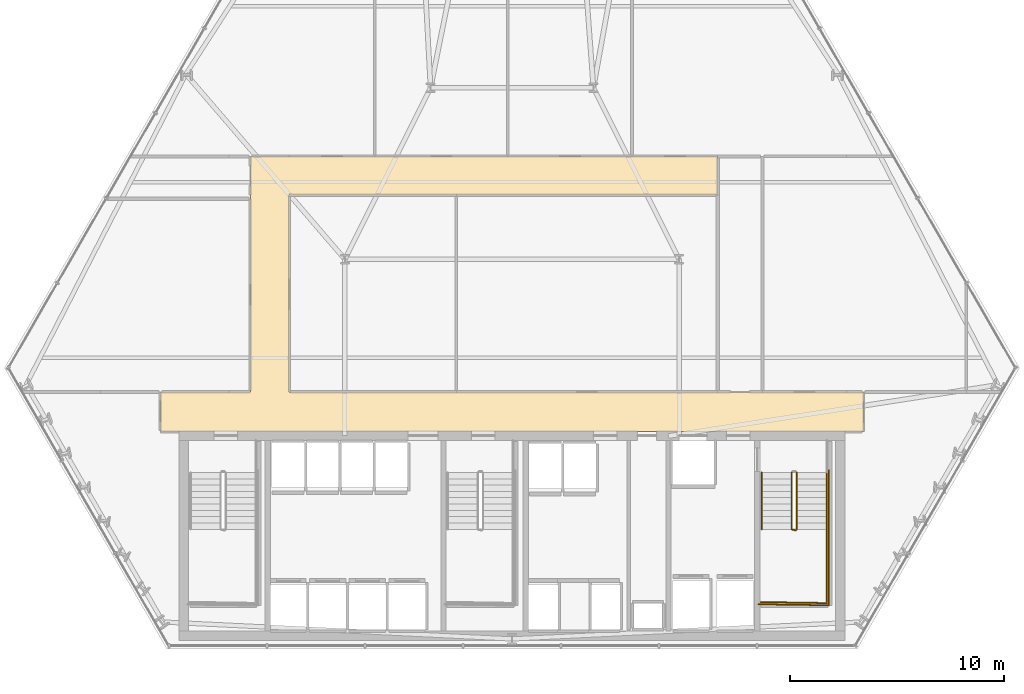
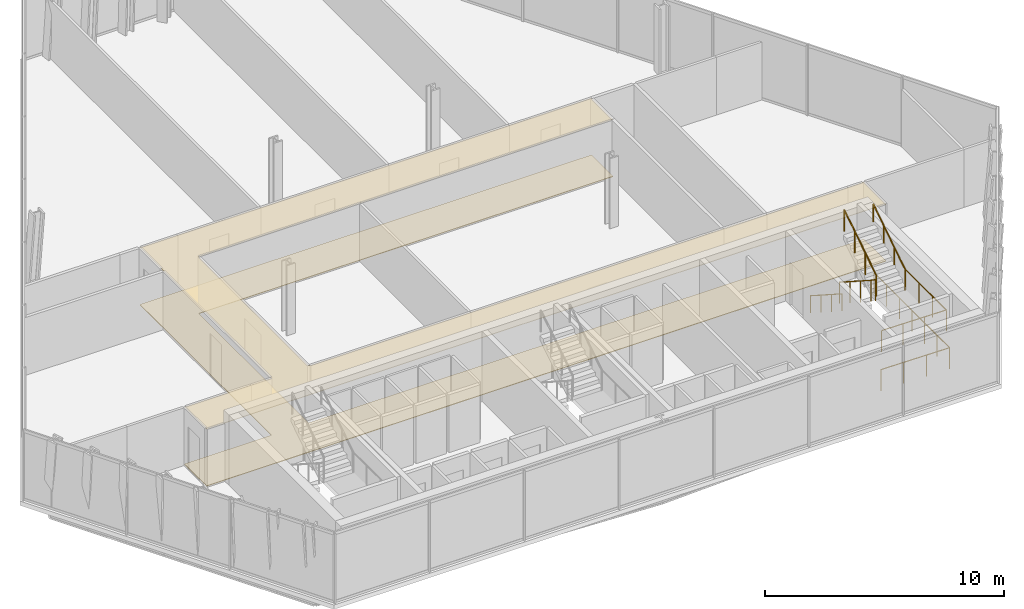
# One storey, part 31 of 32: 6 railings, 2 coverings.
"""IFC4 building model written with IfcOpenShell, lengths in metres."""

from ifc_helpers import new_model, si_unit, direction, frame, origin, origin_2d, place, context, subcontext, project, spatial, polyline, circle, outline, extrude, material, layer, layer_set, type_object, element, save


model = new_model("IFC4")

# Units and contexts
model_context = context("Model", 3, precision=1e-05, world=origin(), true_north=direction((0.0, 1.0)))
body_context = subcontext(model_context, "Body", "Model", "MODEL_VIEW")
ifc_project = project(units=[si_unit("LENGTHUNIT", "METRE"), si_unit("AREAUNIT", "SQUARE_METRE"), si_unit("VOLUMEUNIT", "CUBIC_METRE"), si_unit("PLANEANGLEUNIT", "RADIAN"), si_unit("MASSUNIT", "GRAM", prefix="KILO")], contexts=[model_context])

# Site, building, storey
site_placement = place(None, origin())
site = spatial("IfcSite", under=ifc_project, at=site_placement, CompositionType="ELEMENT")
building_placement = place(site_placement, origin())
building = spatial("IfcBuilding", under=site, at=building_placement, Name="Ndaravel Arena Tower", CompositionType="ELEMENT")
storey_placement = place(building_placement, frame((0.0, 0.0, 77.800048828125)))
storey = spatial("IfcBuildingStorey", under=building, at=storey_placement, Name="L17", CompositionType="ELEMENT", Elevation=77.800048828125)

# Coverings
ifc_material_1 = material(Name="Acoustic Ceiling Tile", Category="finish")
ifc_layer_1 = layer(ifc_material_1, 0.02490234375)
ifc_layer_set_1 = layer_set([ifc_layer_1], Name="Acoustic Ceiling Tile")
covering_type_1 = type_object("IfcCoveringType", Name="COV-CEIL-AC600", PredefinedType="CEILING", material=ifc_layer_set_1)
covering_1_placement = place(storey_placement, frame((0.0, 0.0, 2.919921875)))
element("IfcCovering", 1, at=covering_1_placement, inside=storey, type_object=covering_type_1, Name="L17 Corridor Acoustic Ceiling", PredefinedType="CEILING", context=body_context, shape_type="SweptSolid", body=[
    extrude(outline(polyline([(58.39990234375, 17.0), (31.60009765625, 17.0), (31.60009765625, 26.199951171875), (51.60009765625, 26.199951171875), (51.60009765625, 28.0), (31.60009765625, 28.0), (29.800048828125, 28.0), (29.800048828125, 26.199951171875), (29.800048828125, 17.0), (25.60009765625, 17.0), (25.60009765625, 15.14990234375), (58.39990234375, 15.14990234375), (58.39990234375, 17.0)])), origin(), (0.0, 0.0, 1.0), 0.025146484375),
])
ifc_material_2 = material(Name="Terrazzo", Category="stone")
ifc_layer_2 = layer(ifc_material_2, 0.030029296875)
ifc_layer_set_2 = layer_set([ifc_layer_2], Name="Terrazzo")
covering_type_2 = type_object("IfcCoveringType", Name="COV-FLOOR-TERRAZZO", PredefinedType="FLOORING", material=ifc_layer_set_2)
covering_2_placement = place(storey_placement, origin())
element("IfcCovering", 2, at=covering_2_placement, inside=storey, type_object=covering_type_2, Name="L17 Corridor Terrazzo Flooring", PredefinedType="FLOORING", context=body_context, shape_type="SweptSolid", body=[
    extrude(outline(polyline([(58.39990234375, 17.0), (31.60009765625, 17.0), (31.60009765625, 26.199951171875), (51.60009765625, 26.199951171875), (51.60009765625, 28.0), (31.60009765625, 28.0), (29.800048828125, 28.0), (29.800048828125, 26.199951171875), (29.800048828125, 17.0), (25.60009765625, 17.0), (25.60009765625, 15.14990234375), (58.39990234375, 15.14990234375), (58.39990234375, 17.0)])), origin(), (0.0, 0.0, 1.0), 0.030029296875),
])

# Railings
ifc_material_3 = material(Name="Steel S355", Category="steel")
ifc_layer_3 = layer(ifc_material_3, 0.06005859375)
ifc_layer_set_3 = layer_set([ifc_layer_3], Name="Steel S355")
railing_type_1 = type_object("IfcRailingType", Name="RAIL-STAIR-GD1100", PredefinedType="GUARDRAIL", material=ifc_layer_set_3)
railing_1_placement = place(storey_placement, frame((55.050048828125, 13.25, 0.18994140625)))
element("IfcRailing", 3, at=railing_1_placement, inside=storey, type_object=railing_type_1, Name="L17 ST-3 stair guard 1", PredefinedType="GUARDRAIL", context=body_context, shape_type="SweptSolid", body=[
    extrude(circle(Radius=0.02392578125, at=origin_2d()), frame((0.0, 0.0, 1.076171875), z_axis=(0.0, -0.840723540582, 0.54146461409), x_axis=(1.0, 0.0, 0.0)), (0.0, 0.0, 1.0), 3.157958984375),
    extrude(circle(Radius=0.02392578125, at=origin_2d()), frame((0.0, -2.655029296875, 2.7861328125), z_axis=(0.966993988697, -0.254799187253, 0.0), x_axis=(0.254799187253, 0.966993988697, 0.0)), (0.0, 0.0, 1.0), 0.196533203125),
    extrude(circle(Radius=0.02099609375, at=origin_2d()), origin(), (0.0, 0.0, 1.0), 1.052001953125),
    extrude(circle(Radius=0.02099609375, at=origin_2d()), frame((0.0, -0.885009765625, 0.570068359375)), (0.0, 0.0, 1.0), 1.052001953125),
    extrude(circle(Radius=0.02099609375, at=origin_2d()), frame((0.0, -1.77001953125, 1.139892578125)), (0.0, 0.0, 1.0), 1.052001953125),
    extrude(circle(Radius=0.02099609375, at=origin_2d()), frame((0.0, -2.655029296875, 1.7099609375)), (0.0, 0.0, 1.0), 1.052001953125),
    extrude(circle(Radius=0.02099609375, at=origin_2d()), frame((0.18994140625, -2.705078125, 1.7099609375)), (0.0, 0.0, 1.0), 1.052001953125),
])
railing_2_placement = place(storey_placement, frame((56.68994140625, 10.594970703125, 1.89990234375)))
element("IfcRailing", 4, at=railing_2_placement, inside=storey, type_object=railing_type_1, Name="L17 ST-3 stair guard 2", PredefinedType="GUARDRAIL", context=body_context, shape_type="SweptSolid", body=[
    extrude(circle(Radius=0.02392578125, at=origin_2d()), frame((0.0, 0.0, 1.076171875), z_axis=(0.0, -1.0, 0.0), x_axis=(1.0, 0.0, 0.0)), (0.0, 0.0, 1.0), 3.445068359375),
    extrude(circle(Radius=0.02392578125, at=origin_2d()), frame((0.0, -3.445068359375, 1.076171875), z_axis=(-0.999868840623, 0.016195726322, 0.0), x_axis=(-0.016195726322, -0.999868840623, 0.0)), (0.0, 0.0, 1.0), 3.09033203125),
    extrude(circle(Radius=0.02099609375, at=origin_2d()), origin(), (0.0, 0.0, 1.0), 1.052001953125),
    extrude(circle(Radius=0.02099609375, at=origin_2d()), frame((0.0, -1.1484375, 0.0)), (0.0, 0.0, 1.0), 1.052001953125),
    extrude(circle(Radius=0.02099609375, at=origin_2d()), frame((0.0, -2.296630859375, 0.0)), (0.0, 0.0, 1.0), 1.052001953125),
    extrude(circle(Radius=0.02099609375, at=origin_2d()), frame((0.0, -3.445068359375, 0.0)), (0.0, 0.0, 1.0), 1.052001953125),
    extrude(circle(Radius=0.02099609375, at=origin_2d()), frame((-1.030029296875, -3.428466796875, 0.0)), (0.0, 0.0, 1.0), 1.052001953125),
    extrude(circle(Radius=0.02099609375, at=origin_2d()), frame((-2.059814453125, -3.41162109375, 0.0)), (0.0, 0.0, 1.0), 1.052001953125),
    extrude(circle(Radius=0.02099609375, at=origin_2d()), frame((-3.08984375, -3.39501953125, 0.0)), (0.0, 0.0, 1.0), 1.052001953125),
])
railing_3_placement = place(storey_placement, frame((55.2900390625, 10.594970703125, 2.08984375)))
element("IfcRailing", 5, at=railing_3_placement, inside=storey, type_object=railing_type_1, Name="L17 ST-3 stair guard 3", PredefinedType="GUARDRAIL", context=body_context, shape_type="SweptSolid", body=[
    extrude(circle(Radius=0.02392578125, at=origin_2d()), frame((0.0, 0.0, 1.076171875), z_axis=(0.0, 0.840688348013, 0.541519253134), x_axis=(-1.0, 0.0, 0.0)), (0.0, 0.0, 1.0), 3.158203125),
    extrude(circle(Radius=0.02099609375, at=origin_2d()), origin(), (0.0, 0.0, 1.0), 1.052001953125),
    extrude(circle(Radius=0.02099609375, at=origin_2d()), frame((0.0, 0.885009765625, 0.570068359375)), (0.0, 0.0, 1.0), 1.052001953125),
    extrude(circle(Radius=0.02099609375, at=origin_2d()), frame((0.0, 1.77001953125, 1.14013671875)), (0.0, 0.0, 1.0), 1.052001953125),
    extrude(circle(Radius=0.02099609375, at=origin_2d()), frame((0.0, 2.655029296875, 1.710205078125)), (0.0, 0.0, 1.0), 1.052001953125),
])
railing_4_placement = place(storey_placement, frame((56.7900390625, 13.35009765625, 0.0)))
element("IfcRailing", 6, at=railing_4_placement, inside=storey, type_object=railing_type_1, Name="L17 ST-3 stair guard 6", PredefinedType="GUARDRAIL", context=body_context, shape_type="SweptSolid", body=[
    extrude(circle(Radius=0.02392578125, at=origin_2d()), frame((0.0, 0.0, 1.076171875), z_axis=(0.0, -1.0, 0.0), x_axis=(1.0, 0.0, 0.0)), (0.0, 0.0, 1.0), 6.300048828125),
    extrude(circle(Radius=0.02392578125, at=origin_2d()), frame((0.0, -6.300048828125, 1.076171875), z_axis=(-0.99988431412, 0.015210469308, 0.0), x_axis=(-0.015210469308, -0.99988431412, 0.0)), (0.0, 0.0, 1.0), 3.29052734375),
    extrude(circle(Radius=0.02099609375, at=origin_2d()), origin(), (0.0, 0.0, 1.0), 1.052001953125),
    extrude(circle(Radius=0.02099609375, at=origin_2d()), frame((0.0, -1.050048828125, 0.0)), (0.0, 0.0, 1.0), 1.052001953125),
    extrude(circle(Radius=0.02099609375, at=origin_2d()), frame((0.0, -2.10009765625, 0.0)), (0.0, 0.0, 1.0), 1.052001953125),
    extrude(circle(Radius=0.02099609375, at=origin_2d()), frame((0.0, -3.14990234375, 0.0)), (0.0, 0.0, 1.0), 1.052001953125),
    extrude(circle(Radius=0.02099609375, at=origin_2d()), frame((0.0, -4.199951171875, 0.0)), (0.0, 0.0, 1.0), 1.052001953125),
    extrude(circle(Radius=0.02099609375, at=origin_2d()), frame((0.0, -5.25, 0.0)), (0.0, 0.0, 1.0), 1.052001953125),
    extrude(circle(Radius=0.02099609375, at=origin_2d()), frame((0.0, -6.300048828125, 0.0)), (0.0, 0.0, 1.0), 1.052001953125),
    extrude(circle(Radius=0.02099609375, at=origin_2d()), frame((-1.0966796875, -6.283447265625, 0.0)), (0.0, 0.0, 1.0), 1.052001953125),
    extrude(circle(Radius=0.02099609375, at=origin_2d()), frame((-2.193359375, -6.2666015625, 0.0)), (0.0, 0.0, 1.0), 1.052001953125),
    extrude(circle(Radius=0.02099609375, at=origin_2d()), frame((-3.2900390625, -6.25, 0.0)), (0.0, 0.0, 1.0), 1.052001953125),
])
ifc_material_4 = material(Name="Steel S355", Category="steel")
ifc_layer_4 = layer(ifc_material_4, 0.050048828125)
ifc_layer_set_4 = layer_set([ifc_layer_4], Name="Steel S355")
railing_type_2 = type_object("IfcRailingType", Name="RAIL-STAIR-HR920", PredefinedType="HANDRAIL", material=ifc_layer_set_4)
railing_5_placement = place(storey_placement, frame((53.64990234375, 13.25, 0.18994140625)))
element("IfcRailing", 7, at=railing_5_placement, inside=storey, type_object=railing_type_2, Name="L17 ST-3 stair handrail 1", PredefinedType="HANDRAIL", context=body_context, shape_type="SweptSolid", body=[
    extrude(circle(Radius=0.02392578125, at=origin_2d()), frame((0.0, 0.0, 0.8759765625), z_axis=(0.0, -0.840723540582, 0.54146461409), x_axis=(1.0, 0.0, 0.0)), (0.0, 0.0, 1.0), 3.157958984375),
    extrude(circle(Radius=0.02099609375, at=origin_2d()), origin(), (0.0, 0.0, 1.0), 0.851806640625),
    extrude(circle(Radius=0.02099609375, at=origin_2d()), frame((0.0, -0.885009765625, 0.570068359375)), (0.0, 0.0, 1.0), 0.851806640625),
    extrude(circle(Radius=0.02099609375, at=origin_2d()), frame((0.0, -1.77001953125, 1.139892578125)), (0.0, 0.0, 1.0), 0.851806640625),
    extrude(circle(Radius=0.02099609375, at=origin_2d()), frame((0.0, -2.655029296875, 1.7099609375)), (0.0, 0.0, 1.0), 0.851806640625),
])
railing_6_placement = place(storey_placement, frame((56.68994140625, 10.594970703125, 2.08984375)))
element("IfcRailing", 8, at=railing_6_placement, inside=storey, type_object=railing_type_2, Name="L17 ST-3 stair handrail 2", PredefinedType="HANDRAIL", context=body_context, shape_type="SweptSolid", body=[
    extrude(circle(Radius=0.02392578125, at=origin_2d()), frame((0.0, 0.0, 0.8759765625), z_axis=(0.0, 0.840688348013, 0.541519253134), x_axis=(-1.0, 0.0, 0.0)), (0.0, 0.0, 1.0), 3.158203125),
    extrude(circle(Radius=0.02099609375, at=origin_2d()), origin(), (0.0, 0.0, 1.0), 0.851806640625),
    extrude(circle(Radius=0.02099609375, at=origin_2d()), frame((0.0, 0.885009765625, 0.570068359375)), (0.0, 0.0, 1.0), 0.851806640625),
    extrude(circle(Radius=0.02099609375, at=origin_2d()), frame((0.0, 1.77001953125, 1.14013671875)), (0.0, 0.0, 1.0), 0.851806640625),
    extrude(circle(Radius=0.02099609375, at=origin_2d()), frame((0.0, 2.655029296875, 1.710205078125)), (0.0, 0.0, 1.0), 0.851806640625),
])

save(model, "model.ifc")
